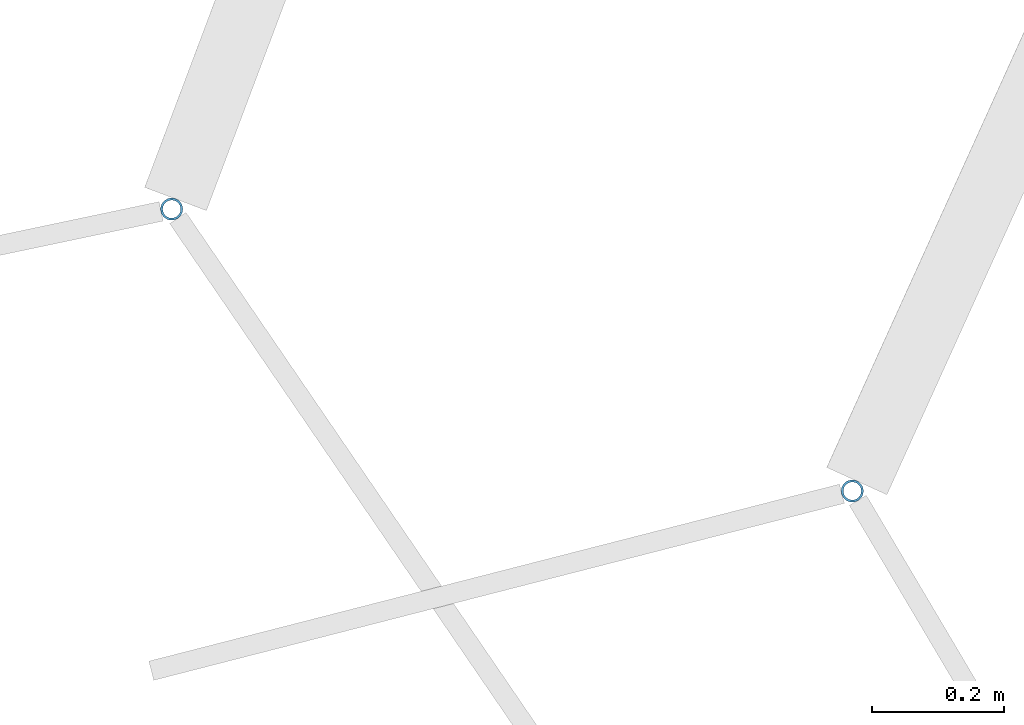
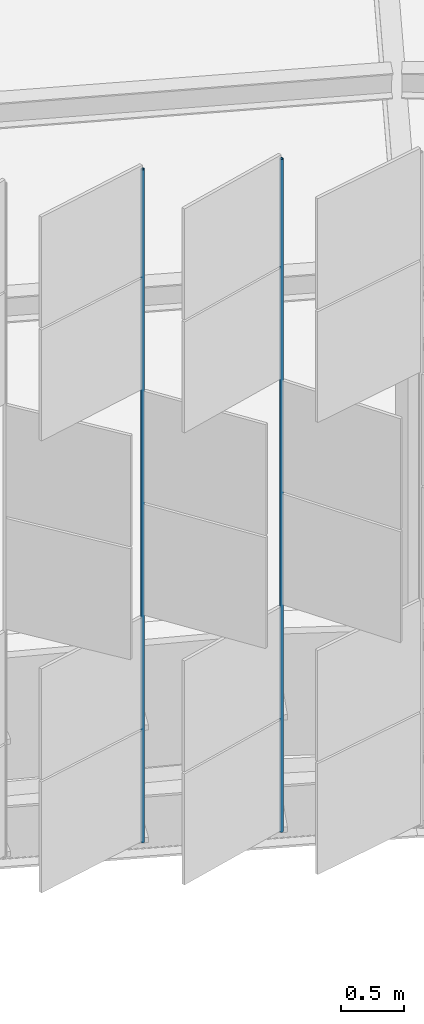
# One storey, part 248 of 483: 2 discrete accessories.
"""IFC4 building model written with IfcOpenShell, lengths in metres."""

from ifc_helpers import new_model, si_unit, direction, frame, origin, origin_2d, place, context, subcontext, project, spatial, hollow_circle, extrude, material, material_profile, profile_set, type_object, element, save


model = new_model("IFC4")

# Units and contexts
model_context = context("Model", 3, precision=1e-05, world=origin(), true_north=direction((0.0, 1.0)))
body_context = subcontext(model_context, "Body", "Model", "MODEL_VIEW")
ifc_project = project(units=[si_unit("LENGTHUNIT", "METRE"), si_unit("AREAUNIT", "SQUARE_METRE"), si_unit("VOLUMEUNIT", "CUBIC_METRE"), si_unit("PLANEANGLEUNIT", "RADIAN"), si_unit("MASSUNIT", "GRAM", prefix="KILO")], contexts=[model_context])

# Site, building, storey
site_placement = place(None, origin())
site = spatial("IfcSite", under=ifc_project, at=site_placement, CompositionType="ELEMENT")
building_placement = place(site_placement, origin())
building = spatial("IfcBuilding", under=site, at=building_placement, Name="Parallax Yard Mobility Hub", CompositionType="ELEMENT")
storey_placement = place(building_placement, frame((0.0, 0.0, 13.199951171875)))
storey = spatial("IfcBuildingStorey", under=building, at=storey_placement, Name="L04", CompositionType="ELEMENT", Elevation=13.199951171875)

# Discrete accessories
ifc_material = material(Name="Steel ASTM A500 Gr C, hot-dip galvanised", Category="steel")
ifc_material_profile = material_profile(ifc_material, hollow_circle(Radius=0.016845703125, WallThickness=0.003173828125, at=origin_2d()), Name="CHS 33.7x3.2")
ifc_profile_set = profile_set([ifc_material_profile], Name="Steel ASTM A500 Gr C, hot-dip galvanised")
discrete_accessory_type = type_object("IfcDiscreteAccessoryType", Name="Hinge post CHS 33.7x3.2", PredefinedType="BRACKET", material=ifc_profile_set)
for number, where, z_axis, x_axis, name in (
    (1, (180.204833984375, 110.0595703125, 0.0), (0.0, 0.0, 1.0), (1.0, 0.0, 0.0), "Hinge post bay 19.2 level L04"),
    (2, (181.23583984375, 109.632568359375, 0.0), (0.0, 0.0, 1.0), (1.0, 0.0, 0.0), "Hinge post bay 19.3 level L04"),
):
    element("IfcDiscreteAccessory", number, at=place(storey_placement, frame(where, z_axis=z_axis, x_axis=x_axis)), inside=storey, type_object=discrete_accessory_type, Name=name, PredefinedType="BRACKET", context=body_context, shape_type="SweptSolid", body=[
        extrude(hollow_circle(Radius=0.016845703125, WallThickness=0.003173828125, at=origin_2d()), origin(), (0.0, 0.0, 1.0), 6.550048828125),
    ])

save(model, "model.ifc")
